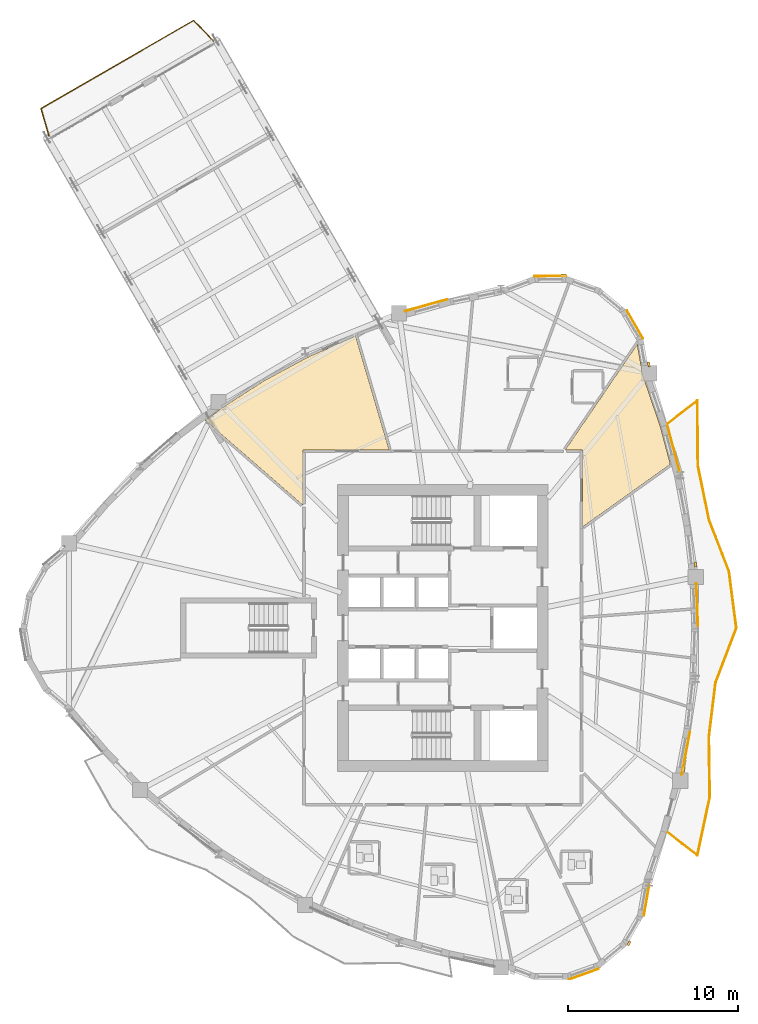
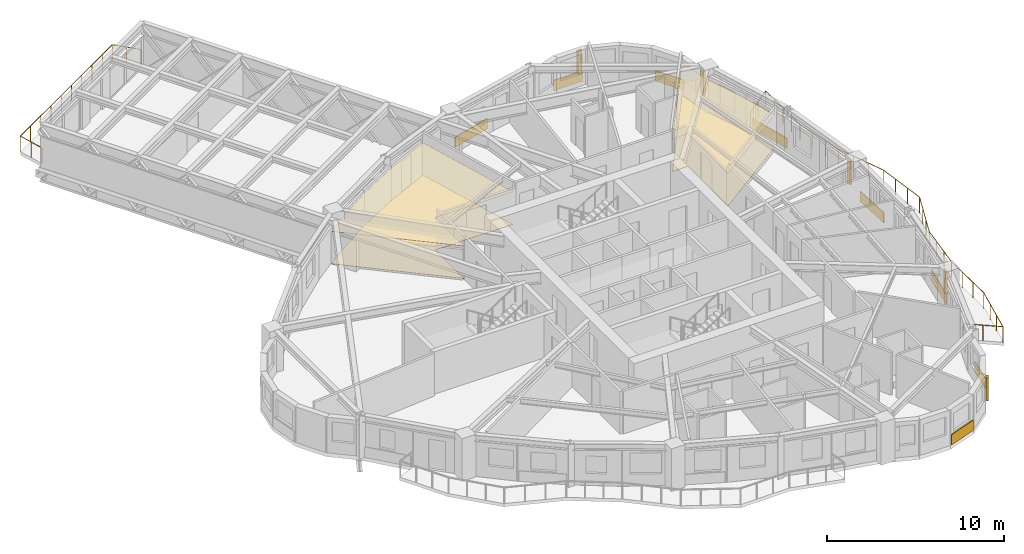
# One storey, part 15 of 16: 12 coverings, 5 shading devices, 2 railings.
"""IFC4 building model written with IfcOpenShell, lengths in metres."""

from ifc_helpers import new_model, si_unit, direction, frame, origin, origin_2d, place, context, subcontext, project, spatial, polyline, rectangle, circle, outline, extrude, source, transform, mapped, material, layer, layer_set, type_object, element, save


model = new_model("IFC4")

# Units and contexts
model_context = context("Model", 3, precision=1e-05, world=origin(), true_north=direction((0.0, 1.0)))
body_context = subcontext(model_context, "Body", "Model", "MODEL_VIEW")
ifc_project = project(units=[si_unit("LENGTHUNIT", "METRE"), si_unit("AREAUNIT", "SQUARE_METRE"), si_unit("VOLUMEUNIT", "CUBIC_METRE"), si_unit("PLANEANGLEUNIT", "RADIAN"), si_unit("MASSUNIT", "GRAM", prefix="KILO")], contexts=[model_context])

# Site, building, storey
site_placement = place(None, origin())
site = spatial("IfcSite", under=ifc_project, at=site_placement, CompositionType="ELEMENT")
building_placement = place(site_placement, origin())
building = spatial("IfcBuilding", under=site, at=building_placement, Name="Qafzar Sky-Pleat Residences", CompositionType="ELEMENT")
storey_placement = place(building_placement, frame((0.0, 0.0, 80.0)))
storey = spatial("IfcBuildingStorey", under=building, at=storey_placement, Name="L23", CompositionType="ELEMENT", Elevation=80.0)

# Coverings
ifc_material_1 = material(Name="Perforated acoustic gypsum board ceiling")
ifc_layer_1 = layer(ifc_material_1, 0.02001953125)
ifc_layer_set_1 = layer_set([ifc_layer_1], Name="Perforated acoustic gypsum board ceiling")
covering_type_1 = type_object("IfcCoveringType", Name="COV-CEIL-ACOUSTIC", PredefinedType="CEILING", material=ifc_layer_set_1)
covering_1_placement = place(storey_placement, frame((0.0, 0.0, 2.239990234375)))
element("IfcCovering", 1, at=covering_1_placement, inside=storey, type_object=covering_type_1, Name="L23 Communal Kitchen Acoustic Ceiling", PredefinedType="CEILING", context=body_context, shape_type="SweptSolid", body=[
    extrude(outline(polyline([(42.14404296875, 40.918701171875), (43.177001953125, 37.89892578125), (43.77392578125, 35.654296875), (38.590087890625, 31.95458984375), (38.590087890625, 36.489990234375), (37.567626953125, 36.489990234375), (41.822265625, 42.736083984375), (42.14404296875, 40.918701171875)])), origin(), (0.0, 0.0, 1.0), 0.02001953125),
])
covering_2_placement = place(storey_placement, frame((0.0, 0.0, 2.239990234375)))
element("IfcCovering", 2, at=covering_2_placement, inside=storey, type_object=covering_type_1, Name="L23 Co-Living Lounge Acoustic Ceiling", PredefinedType="CEILING", context=body_context, shape_type="SweptSolid", body=[
    extrude(outline(polyline([(17.360107421875, 38.9990234375), (19.8251953125, 40.581298828125), (22.4033203125, 41.971923828125), (25.0947265625, 43.17138671875), (25.21435546875, 43.214111328125), (27.196044921875, 36.489990234375), (22.110107421875, 36.489990234375), (22.110107421875, 33.23779296875), (16.352783203125, 38.2392578125), (17.360107421875, 38.9990234375)])), origin(), (0.0, 0.0, 1.0), 0.02001953125),
])
ifc_material_2 = material(Name="Honed porcelain and Riyadh stone tile flooring", Category="masonry")
ifc_layer_2 = layer(ifc_material_2, 0.02001953125)
ifc_layer_set_2 = layer_set([ifc_layer_2], Name="Honed porcelain and Riyadh stone tile flooring")
covering_type_2 = type_object("IfcCoveringType", Name="COV-FLR-PORCELAIN", PredefinedType="FLOORING", material=ifc_layer_set_2)
covering_3_placement = place(storey_placement, origin())
element("IfcCovering", 3, at=covering_3_placement, inside=storey, type_object=covering_type_2, Name="L23 Communal Kitchen Honed Stone Flooring", PredefinedType="FLOORING", context=body_context, shape_type="SweptSolid", body=[
    extrude(outline(polyline([(42.14404296875, 40.918701171875), (43.177001953125, 37.89892578125), (43.77392578125, 35.654296875), (38.590087890625, 31.95458984375), (38.590087890625, 36.489990234375), (37.567626953125, 36.489990234375), (41.822265625, 42.736083984375), (42.14404296875, 40.918701171875)])), origin(), (0.0, 0.0, 1.0), 0.02001953125),
])
covering_4_placement = place(storey_placement, origin())
element("IfcCovering", 4, at=covering_4_placement, inside=storey, type_object=covering_type_2, Name="L23 Co-Living Lounge Honed Stone Flooring", PredefinedType="FLOORING", context=body_context, shape_type="SweptSolid", body=[
    extrude(outline(polyline([(17.360107421875, 38.9990234375), (19.8251953125, 40.581298828125), (22.4033203125, 41.971923828125), (25.0947265625, 43.17138671875), (25.21435546875, 43.214111328125), (27.196044921875, 36.489990234375), (22.110107421875, 36.489990234375), (22.110107421875, 33.23779296875), (16.352783203125, 38.2392578125), (17.360107421875, 38.9990234375)])), origin(), (0.0, 0.0, 1.0), 0.02001953125),
])

# Shading devices
ifc_material_3 = material(Name="Honed Riyadh limestone solar fin", Category="masonry")
ifc_layer_3 = layer(ifc_material_3, 0.139892578125)
ifc_layer_set_3 = layer_set([ifc_layer_3], Name="Honed Riyadh limestone solar fin")
shading_device_type = type_object("IfcShadingDeviceType", Name="SHD-FIN-STONE", PredefinedType="SHUTTER", material=ifc_layer_set_3)
shared_shape_1 = source(origin(), body_context, "Body", "SweptSolid", [
    extrude(rectangle(XDim=0.139892578125, YDim=0.280029296875, at=origin_2d()), origin(), (0.0, 0.0, 1.0), 1.60009765625),
])
for number, where, z_axis, x_axis, name in (
    (5, (41.336669921875, 7.406982421875, 0.599853515625), (0.0, 0.0, 1.0), (0.864908020198, -0.501930390191, 0.0), "L23 Limestone Solar Fin 21"),
    (6, (44.553466796875, 17.66455078125, 0.599853515625), (0.0, 0.0, 1.0), (0.98242577116, -0.186653701171, 0.0), "L23 Limestone Solar Fin 25"),
    (7, (45.25341796875, 29.739501953125, 0.599853515625), (0.0, 0.0, 1.0), (0.993562170996, 0.11328818282, 0.0), "L23 Limestone Solar Fin 29"),
    (8, (42.505126953125, 41.5458984375, 0.599853515625), (0.0, 0.0, 1.0), (0.984674378282, 0.174402892049, 0.0), "L23 Limestone Solar Fin 33"),
    (9, (37.47314453125, 46.80029296875, 0.599853515625), (0.0, 0.0, 1.0), (-0.006821730637, 0.999976731725, 0.0), "L23 Limestone Solar Fin 37"),
):
    element("IfcShadingDevice", number, at=place(storey_placement, frame(where, z_axis=z_axis, x_axis=x_axis)), inside=storey, type_object=shading_device_type, Name=name, PredefinedType="SHUTTER", context=body_context, shape_type="MappedRepresentation", body=[
        mapped(shared_shape_1, transform((0.0, 0.0, 0.0), x_axis=(1.0, 0.0, 0.0), y_axis=(0.0, 1.0, 0.0), z_axis=(0.0, 0.0, 1.0), scale=1.0)),
    ])

# Coverings
ifc_material_4 = material(Name="Honed Riyadh Tuwaiq limestone cladding", Category="masonry")
ifc_layer_4 = layer(ifc_material_4, 0.044921875)
ifc_layer_set_4 = layer_set([ifc_layer_4], Name="Honed Riyadh Tuwaiq limestone cladding")
covering_type_3 = type_object("IfcCoveringType", Name="COV-CLAD-STONE", PredefinedType="CLADDING", material=ifc_layer_set_4)
shared_shape_2 = source(origin(), body_context, "Body", "SweptSolid", [
    extrude(rectangle(XDim=1.88916015625, YDim=0.044921875, at=origin_2d()), origin(), (0.0, 0.0, 1.0), 0.719970703125),
])
for number, where, z_axis, x_axis, name in (
    (10, (38.664794921875, 5.583251953125, 0.02001953125), (0.0, 0.0, 1.0), (0.9414678295, 0.3371028419, 0.0), "L23 Riyadh Limestone Spandrel Cladding 19"),
    (11, (41.69091796875, 43.896728515625, 0.02001953125), (0.0, 0.0, 1.0), (-0.501920570103, 0.864913718996, 0.0), "L23 Riyadh Limestone Spandrel Cladding 34"),
    (12, (36.693603515625, 46.751953125, 0.02001953125), (0.0, 0.0, 1.0), (-0.999976465978, -0.006860575119, 0.0), "L23 Riyadh Limestone Spandrel Cladding 37"),
):
    element("IfcCovering", number, at=place(storey_placement, frame(where, z_axis=z_axis, x_axis=x_axis)), inside=storey, type_object=covering_type_3, Name=name, PredefinedType="CLADDING", context=body_context, shape_type="MappedRepresentation", body=[
        mapped(shared_shape_2, transform((0.0, 0.0, 0.0), x_axis=(1.0, 0.0, 0.0), y_axis=(0.0, 1.0, 0.0), z_axis=(0.0, 0.0, 1.0), scale=1.0)),
    ])
shared_shape_3 = source(origin(), body_context, "Body", "SweptSolid", [
    extrude(rectangle(XDim=1.8369140625, YDim=0.044921875, at=origin_2d()), origin(), (0.0, 0.0, 1.0), 0.719970703125),
])
covering_5_placement = place(storey_placement, frame((42.372802734375, 9.95263671875, 0.02001953125), z_axis=(0.0, 0.0, 1.0), x_axis=(0.174386275202, 0.984677321269, 0.0)))
element("IfcCovering", 13, at=covering_5_placement, inside=storey, type_object=covering_type_3, Name="L23 Riyadh Limestone Spandrel Cladding 22", PredefinedType="CLADDING", context=body_context, shape_type="MappedRepresentation", body=[
    mapped(shared_shape_3, transform((0.0, 0.0, 0.0), x_axis=(1.0, 0.0, 0.0), y_axis=(0.0, 1.0, 0.0), z_axis=(0.0, 0.0, 1.0), scale=1.0)),
])

# Railing
ifc_material_5 = material(Name="Laminated glass and bronze steel balustrade", Category="steel")
railing_type = type_object("IfcRailingType", Name="RAIL-BAL-1100", PredefinedType="BALUSTRADE", material=ifc_material_5)
shared_shape_4 = source(origin(), body_context, "Body", "SweptSolid", [
    extrude(circle(Radius=0.02392578125, at=origin_2d()), frame((0.0, 0.0, 1.076171875), z_axis=(0.791483566765, -0.611190447848, 0.0), x_axis=(0.611190447848, 0.791483566765, 0.0)), (0.0, 0.0, 1.0), 2.27099609375),
    extrude(circle(Radius=0.02392578125, at=origin_2d()), frame((1.79736328125, -1.387939453125, 1.076171875), z_axis=(0.209050174089, 0.977904915988, 0.0), x_axis=(-0.977904915988, 0.209050174089, 0.0)), (0.0, 0.0, 1.0), 3.516357421875),
    extrude(circle(Radius=0.02392578125, at=origin_2d()), frame((2.532470703125, 2.05078125, 1.076171875), z_axis=(-0.014238304586, 0.999898630203, 0.0), x_axis=(-0.999898630203, -0.014238304586, 0.0)), (0.0, 0.0, 1.0), 3.56640625),
    extrude(circle(Radius=0.02392578125, at=origin_2d()), frame((2.481689453125, 5.616943359375, 1.076171875), z_axis=(0.122075961584, 0.992520760288, 0.0), x_axis=(-0.992520760288, 0.122075961584, 0.0)), (0.0, 0.0, 1.0), 3.221923828125),
    extrude(circle(Radius=0.02392578125, at=origin_2d()), frame((2.875, 8.814697265625, 1.076171875), z_axis=(0.356657561187, 0.934235186689, 0.0), x_axis=(-0.934235186689, 0.356657561187, 0.0)), (0.0, 0.0, 1.0), 3.43359375),
    extrude(circle(Radius=0.02392578125, at=origin_2d()), frame((4.099609375, 12.0224609375, 1.076171875), z_axis=(-0.129342278361, 0.991600007578, 0.0), x_axis=(-0.991600007578, -0.129342278361, 0.0)), (0.0, 0.0, 1.0), 3.373046875),
    extrude(circle(Radius=0.02392578125, at=origin_2d()), frame((3.663330078125, 15.3671875, 1.076171875), z_axis=(-0.360150582233, 0.932894183773, 0.0), x_axis=(-0.932894183773, -0.360150582233, 0.0)), (0.0, 0.0, 1.0), 3.281005859375),
    extrude(circle(Radius=0.02392578125, at=origin_2d()), frame((2.481689453125, 18.427978515625, 1.076171875), z_axis=(-0.200222309974, 0.979750492007, 0.0), x_axis=(-0.979750492007, -0.200222309974, 0.0)), (0.0, 0.0, 1.0), 3.245849609375),
    extrude(circle(Radius=0.02392578125, at=origin_2d()), frame((1.831787109375, 21.608154296875, 1.076171875), z_axis=(-0.009000018471, 0.999959499014, 0.0), x_axis=(-0.999959499014, -0.009000018471, 0.0)), (0.0, 0.0, 1.0), 3.824951171875),
    extrude(circle(Radius=0.02392578125, at=origin_2d()), frame((1.79736328125, 25.432861328125, 1.076171875), z_axis=(-0.791483566765, -0.611190447848, 0.0), x_axis=(0.611190447848, -0.791483566765, 0.0)), (0.0, 0.0, 1.0), 2.27099609375),
    extrude(circle(Radius=0.02099609375, at=origin_2d()), origin(), (0.0, 0.0, 1.0), 1.052001953125),
    extrude(circle(Radius=0.02099609375, at=origin_2d()), frame((0.898681640625, -0.69384765625, 0.0)), (0.0, 0.0, 1.0), 1.052001953125),
    extrude(circle(Radius=0.02099609375, at=origin_2d()), frame((1.79736328125, -1.387939453125, 0.0)), (0.0, 0.0, 1.0), 1.052001953125),
    extrude(circle(Radius=0.02099609375, at=origin_2d()), frame((2.04248046875, -0.24169921875, 0.0)), (0.0, 0.0, 1.0), 1.052001953125),
    extrude(circle(Radius=0.02099609375, at=origin_2d()), frame((2.287353515625, 0.904541015625, 0.0)), (0.0, 0.0, 1.0), 1.052001953125),
    extrude(circle(Radius=0.02099609375, at=origin_2d()), frame((2.532470703125, 2.05078125, 0.0)), (0.0, 0.0, 1.0), 1.052001953125),
    extrude(circle(Radius=0.02099609375, at=origin_2d()), frame((2.515625, 3.239501953125, 0.0)), (0.0, 0.0, 1.0), 1.052001953125),
    extrude(circle(Radius=0.02099609375, at=origin_2d()), frame((2.49853515625, 4.42822265625, 0.0)), (0.0, 0.0, 1.0), 1.052001953125),
    extrude(circle(Radius=0.02099609375, at=origin_2d()), frame((2.481689453125, 5.616943359375, 0.0)), (0.0, 0.0, 1.0), 1.052001953125),
    extrude(circle(Radius=0.02099609375, at=origin_2d()), frame((2.61279296875, 6.682861328125, 0.0)), (0.0, 0.0, 1.0), 1.052001953125),
    extrude(circle(Radius=0.02099609375, at=origin_2d()), frame((2.743896484375, 7.748779296875, 0.0)), (0.0, 0.0, 1.0), 1.052001953125),
    extrude(circle(Radius=0.02099609375, at=origin_2d()), frame((2.875, 8.814697265625, 0.0)), (0.0, 0.0, 1.0), 1.052001953125),
    extrude(circle(Radius=0.02099609375, at=origin_2d()), frame((3.283203125, 9.884033203125, 0.0)), (0.0, 0.0, 1.0), 1.052001953125),
    extrude(circle(Radius=0.02099609375, at=origin_2d()), frame((3.69140625, 10.953125, 0.0)), (0.0, 0.0, 1.0), 1.052001953125),
    extrude(circle(Radius=0.02099609375, at=origin_2d()), frame((4.099609375, 12.0224609375, 0.0)), (0.0, 0.0, 1.0), 1.052001953125),
    extrude(circle(Radius=0.02099609375, at=origin_2d()), frame((3.9541015625, 13.137451171875, 0.0)), (0.0, 0.0, 1.0), 1.052001953125),
    extrude(circle(Radius=0.02099609375, at=origin_2d()), frame((3.808837890625, 14.252197265625, 0.0)), (0.0, 0.0, 1.0), 1.052001953125),
    extrude(circle(Radius=0.02099609375, at=origin_2d()), frame((3.663330078125, 15.3671875, 0.0)), (0.0, 0.0, 1.0), 1.052001953125),
    extrude(circle(Radius=0.02099609375, at=origin_2d()), frame((3.26953125, 16.387451171875, 0.0)), (0.0, 0.0, 1.0), 1.052001953125),
    extrude(circle(Radius=0.02099609375, at=origin_2d()), frame((2.87548828125, 17.40771484375, 0.0)), (0.0, 0.0, 1.0), 1.052001953125),
    extrude(circle(Radius=0.02099609375, at=origin_2d()), frame((2.481689453125, 18.427978515625, 0.0)), (0.0, 0.0, 1.0), 1.052001953125),
    extrude(circle(Radius=0.02099609375, at=origin_2d()), frame((2.26513671875, 19.488037109375, 0.0)), (0.0, 0.0, 1.0), 1.052001953125),
    extrude(circle(Radius=0.02099609375, at=origin_2d()), frame((2.04833984375, 20.548095703125, 0.0)), (0.0, 0.0, 1.0), 1.052001953125),
    extrude(circle(Radius=0.02099609375, at=origin_2d()), frame((1.831787109375, 21.608154296875, 0.0)), (0.0, 0.0, 1.0), 1.052001953125),
    extrude(circle(Radius=0.02099609375, at=origin_2d()), frame((1.8232421875, 22.564453125, 0.0)), (0.0, 0.0, 1.0), 1.052001953125),
    extrude(circle(Radius=0.02099609375, at=origin_2d()), frame((1.814453125, 23.5205078125, 0.0)), (0.0, 0.0, 1.0), 1.052001953125),
    extrude(circle(Radius=0.02099609375, at=origin_2d()), frame((1.805908203125, 24.4765625, 0.0)), (0.0, 0.0, 1.0), 1.052001953125),
    extrude(circle(Radius=0.02099609375, at=origin_2d()), frame((1.79736328125, 25.432861328125, 0.0)), (0.0, 0.0, 1.0), 1.052001953125),
    extrude(circle(Radius=0.02099609375, at=origin_2d()), frame((0.898681640625, 24.73876953125, 0.0)), (0.0, 0.0, 1.0), 1.052001953125),
    extrude(circle(Radius=0.02099609375, at=origin_2d()), frame((0.0, 24.044921875, 0.0)), (0.0, 0.0, 1.0), 1.052001953125),
])
railing_1_placement = place(storey_placement, frame((43.5693359375, 13.9775390625, 0.0)))
element("IfcRailing", 14, at=railing_1_placement, inside=storey, type_object=railing_type, Name="L23 Pleated Balcony 1 Balustrade", PredefinedType="BALUSTRADE", context=body_context, shape_type="MappedRepresentation", body=[
    mapped(shared_shape_4, transform((0.0, 0.0, 0.0), x_axis=(1.0, 0.0, 0.0), y_axis=(0.0, 1.0, 0.0), z_axis=(0.0, 0.0, 1.0), scale=1.0)),
])

# Coverings
shared_shape_5 = source(origin(), body_context, "Body", "SweptSolid", [
    extrude(rectangle(XDim=2.58349609375, YDim=0.044921875, at=origin_2d()), origin(), (0.0, 0.0, 1.0), 0.719970703125),
])
covering_6_placement = place(storey_placement, frame((44.690185546875, 18.615478515625, 0.02001953125), z_axis=(0.0, 0.0, 1.0), x_axis=(0.186654257491, 0.982425665463, 0.0)))
element("IfcCovering", 15, at=covering_6_placement, inside=storey, type_object=covering_type_3, Name="L23 Riyadh Limestone Spandrel Cladding 25", PredefinedType="CLADDING", context=body_context, shape_type="MappedRepresentation", body=[
    mapped(shared_shape_5, transform((0.0, 0.0, 0.0), x_axis=(1.0, 0.0, 0.0), y_axis=(0.0, 1.0, 0.0), z_axis=(0.0, 0.0, 1.0), scale=1.0)),
])
shared_shape_6 = source(origin(), body_context, "Body", "SweptSolid", [
    extrude(rectangle(XDim=2.537109375, YDim=0.044921875, at=origin_2d()), origin(), (0.0, 0.0, 1.0), 0.719970703125),
])
covering_7_placement = place(storey_placement, frame((45.356201171875, 27.371337890625, 0.02001953125), z_axis=(0.0, 0.0, 1.0), x_axis=(-0.037957645044, 0.999279348922, 0.0)))
element("IfcCovering", 16, at=covering_7_placement, inside=storey, type_object=covering_type_3, Name="L23 Riyadh Limestone Spandrel Cladding 28", PredefinedType="CLADDING", context=body_context, shape_type="MappedRepresentation", body=[
    mapped(shared_shape_6, transform((0.0, 0.0, 0.0), x_axis=(1.0, 0.0, 0.0), y_axis=(0.0, 1.0, 0.0), z_axis=(0.0, 0.0, 1.0), scale=1.0)),
])
shared_shape_7 = source(origin(), body_context, "Body", "SweptSolid", [
    extrude(rectangle(XDim=2.813720703125, YDim=0.044921875, at=origin_2d()), origin(), (0.0, 0.0, 1.0), 0.719970703125),
])
covering_8_placement = place(storey_placement, frame((43.97314453125, 36.546875, 0.02001953125), z_axis=(0.0, 0.0, 1.0), x_axis=(-0.257049399453, 0.966398264817, 0.0)))
element("IfcCovering", 17, at=covering_8_placement, inside=storey, type_object=covering_type_3, Name="L23 Riyadh Limestone Spandrel Cladding 31", PredefinedType="CLADDING", context=body_context, shape_type="MappedRepresentation", body=[
    mapped(shared_shape_7, transform((0.0, 0.0, 0.0), x_axis=(1.0, 0.0, 0.0), y_axis=(0.0, 1.0, 0.0), z_axis=(0.0, 0.0, 1.0), scale=1.0)),
])
shared_shape_8 = source(origin(), body_context, "Body", "SweptSolid", [
    extrude(rectangle(XDim=2.5859375, YDim=0.044921875, at=origin_2d()), origin(), (0.0, 0.0, 1.0), 0.719970703125),
])
covering_9_placement = place(storey_placement, frame((29.372802734375, 45.029296875, 0.02001953125), z_axis=(0.0, 0.0, 1.0), x_axis=(-0.96305324823, -0.269311048927, 0.0)))
element("IfcCovering", 18, at=covering_9_placement, inside=storey, type_object=covering_type_3, Name="L23 Riyadh Limestone Spandrel Cladding 40", PredefinedType="CLADDING", context=body_context, shape_type="MappedRepresentation", body=[
    mapped(shared_shape_8, transform((0.0, 0.0, 0.0), x_axis=(1.0, 0.0, 0.0), y_axis=(0.0, 1.0, 0.0), z_axis=(0.0, 0.0, 1.0), scale=1.0)),
])

# Railing
shared_shape_9 = source(origin(), body_context, "Body", "SweptSolid", [
    extrude(circle(Radius=0.02392578125, at=origin_2d()), frame((0.0, 0.0, 1.076171875), z_axis=(-0.691565058833, 0.722314176381, 0.0), x_axis=(-0.722314176381, -0.691565058833, 0.0)), (0.0, 0.0, 1.0), 1.683349609375),
    extrude(circle(Radius=0.02392578125, at=origin_2d()), frame((-1.1640625, 1.2158203125, 1.076171875), z_axis=(-0.866025696342, -0.499999493275, 0.0), x_axis=(0.499999493275, -0.866025696342, 0.0)), (0.0, 0.0, 1.0), 10.39990234375),
    extrude(circle(Radius=0.02392578125, at=origin_2d()), frame((-10.170654296875, -3.984130859375, 1.076171875), z_axis=(0.279793912061, -0.960060084981, 0.0), x_axis=(0.960060084981, 0.279793912061, 0.0)), (0.0, 0.0, 1.0), 1.68310546875),
    extrude(circle(Radius=0.02099609375, at=origin_2d()), origin(), (0.0, 0.0, 1.0), 1.052001953125),
    extrude(circle(Radius=0.02099609375, at=origin_2d()), frame((-0.58203125, 0.60791015625, 0.0)), (0.0, 0.0, 1.0), 1.052001953125),
    extrude(circle(Radius=0.02099609375, at=origin_2d()), frame((-1.1640625, 1.2158203125, 0.0)), (0.0, 0.0, 1.0), 1.052001953125),
    extrude(circle(Radius=0.02099609375, at=origin_2d()), frame((-2.164794921875, 0.637939453125, 0.0)), (0.0, 0.0, 1.0), 1.052001953125),
    extrude(circle(Radius=0.02099609375, at=origin_2d()), frame((-3.16552734375, 0.060302734375, 0.0)), (0.0, 0.0, 1.0), 1.052001953125),
    extrude(circle(Radius=0.02099609375, at=origin_2d()), frame((-4.166259765625, -0.517578125, 0.0)), (0.0, 0.0, 1.0), 1.052001953125),
    extrude(circle(Radius=0.02099609375, at=origin_2d()), frame((-5.1669921875, -1.09521484375, 0.0)), (0.0, 0.0, 1.0), 1.052001953125),
    extrude(circle(Radius=0.02099609375, at=origin_2d()), frame((-6.167724609375, -1.673095703125, 0.0)), (0.0, 0.0, 1.0), 1.052001953125),
    extrude(circle(Radius=0.02099609375, at=origin_2d()), frame((-7.16845703125, -2.250732421875, 0.0)), (0.0, 0.0, 1.0), 1.052001953125),
    extrude(circle(Radius=0.02099609375, at=origin_2d()), frame((-8.169189453125, -2.82861328125, 0.0)), (0.0, 0.0, 1.0), 1.052001953125),
    extrude(circle(Radius=0.02099609375, at=origin_2d()), frame((-9.169921875, -3.40625, 0.0)), (0.0, 0.0, 1.0), 1.052001953125),
    extrude(circle(Radius=0.02099609375, at=origin_2d()), frame((-10.170654296875, -3.984130859375, 0.0)), (0.0, 0.0, 1.0), 1.052001953125),
    extrude(circle(Radius=0.02099609375, at=origin_2d()), frame((-9.93505859375, -4.7919921875, 0.0)), (0.0, 0.0, 1.0), 1.052001953125),
    extrude(circle(Radius=0.02099609375, at=origin_2d()), frame((-9.69970703125, -5.60009765625, 0.0)), (0.0, 0.0, 1.0), 1.052001953125),
])
railing_2_placement = place(storey_placement, frame((16.830810546875, 60.6162109375, 0.0)))
element("IfcRailing", 19, at=railing_2_placement, inside=storey, type_object=railing_type, Name="L23 SB-2 Tip Observation Balcony Balustrade", PredefinedType="BALUSTRADE", context=body_context, shape_type="MappedRepresentation", body=[
    mapped(shared_shape_9, transform((0.0, 0.0, 0.0), x_axis=(1.0, 0.0, 0.0), y_axis=(0.0, 1.0, 0.0), z_axis=(0.0, 0.0, 1.0), scale=1.0)),
])

save(model, "model.ifc")
